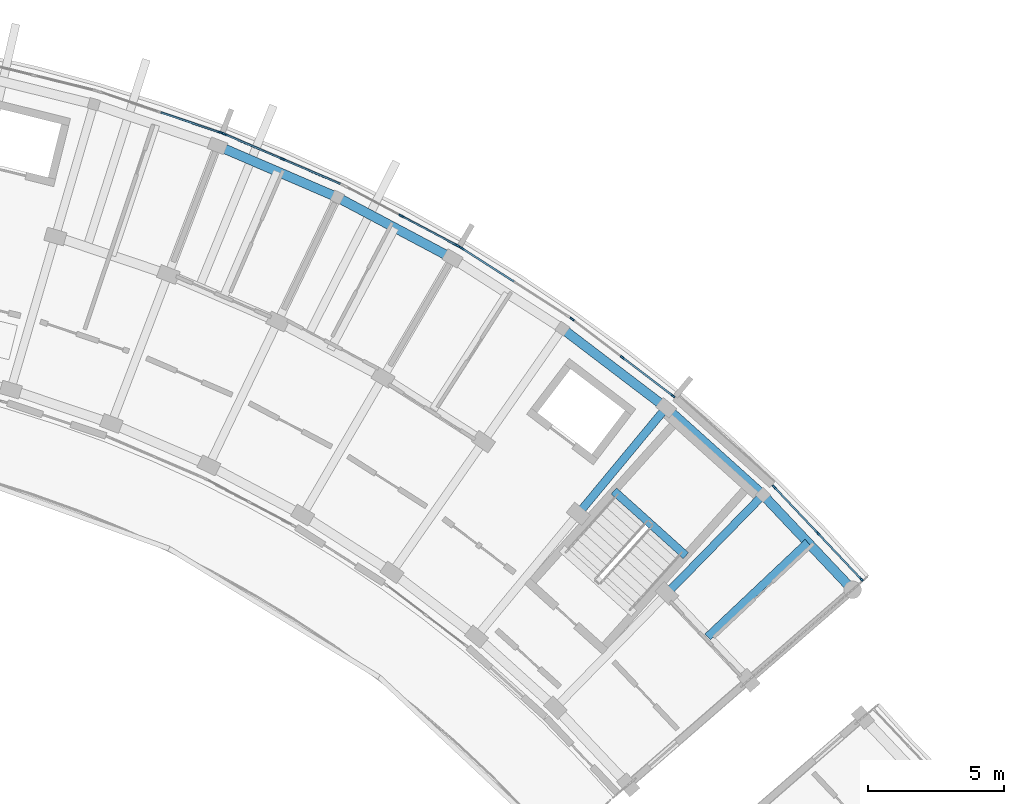
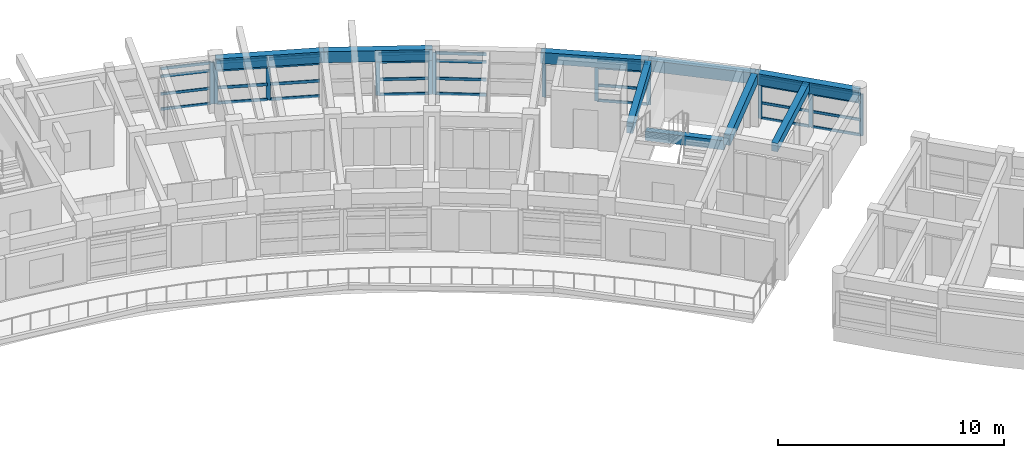
# One storey, part 14 of 38: 44 members, 9 beams, 6 elements without a shape of their own.
"""IFC4 building model written with IfcOpenShell, lengths in metres."""

from ifc_helpers import new_model, si_unit, direction, frame, origin, origin_2d, place, context, subcontext, project, spatial, rectangle, extrude, material, material_profile, profile_set, type_object, element, aggregate, save


model = new_model("IFC4")

# Units and contexts
model_context = context("Model", 3, precision=1e-05, world=origin(), true_north=direction((0.0, 1.0)))
body_context = subcontext(model_context, "Body", "Model", "MODEL_VIEW")
ifc_project = project(units=[si_unit("LENGTHUNIT", "METRE"), si_unit("AREAUNIT", "SQUARE_METRE"), si_unit("VOLUMEUNIT", "CUBIC_METRE"), si_unit("PLANEANGLEUNIT", "RADIAN"), si_unit("MASSUNIT", "GRAM", prefix="KILO")], contexts=[model_context])

# Site, building, storey
site_placement = place(None, origin())
site = spatial("IfcSite", under=ifc_project, at=site_placement, CompositionType="ELEMENT")
building_placement = place(site_placement, origin())
building = spatial("IfcBuilding", under=site, at=building_placement, Name="Zimvara Arc Housing Community", CompositionType="ELEMENT")
storey_placement = place(building_placement, frame((0.0, 0.0, 29.800048828125)))
storey = spatial("IfcBuildingStorey", under=building, at=storey_placement, Name="L09", CompositionType="ELEMENT", Elevation=29.800048828125)

# Beams
ifc_material_1 = material(Name="Concrete C40/50", Category="concrete")
ifc_material_profile_1 = material_profile(ifc_material_1, rectangle(XDim=0.300048828125, YDim=0.449951171875, at=origin_2d()), Name="RC 300x450")
ifc_profile_set_1 = profile_set([ifc_material_profile_1], Name="Concrete C40/50")
beam_type_1 = type_object("IfcBeamType", Name="BM-RC-300x450", PredefinedType="JOIST", material=ifc_profile_set_1)
beam_1_placement = place(storey_placement, frame((84.095703125, 81.3935546875, 2.635009765625), z_axis=(0.727299876429, 0.686319815936, 0.0), x_axis=(-0.686319815936, 0.727299876429, 0.0)))
element("IfcBeam", 1, at=beam_1_placement, inside=storey, type_object=beam_type_1, Name="bm:blkB:L09:joist:b9", PredefinedType="JOIST", context=body_context, shape_type="SweptSolid", body=[
    extrude(rectangle(XDim=0.300048828125, YDim=0.449951171875, at=origin_2d()), origin(), (0.0, 0.0, 1.0), 5.075927734375),
])
ifc_material_2 = material(Name="Concrete C40/50", Category="concrete")
ifc_material_profile_2 = material_profile(ifc_material_2, rectangle(XDim=0.300048828125, YDim=0.5, at=origin_2d()), Name="RC 300x500")
ifc_profile_set_2 = profile_set([ifc_material_profile_2], Name="Concrete C40/50")
beam_type_2 = type_object("IfcBeamType", Name="BM-RC-300x500", PredefinedType="BEAM", material=ifc_profile_set_2)
beam_2_placement = place(storey_placement, frame((83.2900390625, 84.38671875, 1.300048828125), z_axis=(-0.743396155404, 0.668851370732, 0.0), x_axis=(-0.668851370732, -0.743396155404, 0.0)))
element("IfcBeam", 2, at=beam_2_placement, inside=storey, type_object=beam_type_2, Name="bm:stair_trim:ST-B2:L09:mid", PredefinedType="BEAM", context=body_context, shape_type="SweptSolid", body=[
    extrude(rectangle(XDim=0.300048828125, YDim=0.5, at=origin_2d()), origin(), (0.0, 0.0, 1.0), 3.56982421875),
])
ifc_material_3 = material(Name="Concrete C40/50", Category="concrete")
ifc_material_profile_3 = material_profile(ifc_material_3, rectangle(XDim=0.300048828125, YDim=0.550048828125, at=origin_2d()), Name="RC 300x550")
ifc_profile_set_3 = profile_set([ifc_material_profile_3], Name="Concrete C40/50")
beam_type_3 = type_object("IfcBeamType", Name="BM-RC-300x550", PredefinedType="BEAM", material=ifc_profile_set_3)
for number, where, z_axis, x_axis, name in (
    (3, (79.322265625, 85.9296875, 2.5849609375), (0.637983669165, 0.77004989311, 0.0), (-0.77004989311, 0.637983669165, 0.0), "bm:blkB:L09:rad:b8:r23"),
    (4, (82.588134765625, 82.9912109375, 2.5849609375), (0.698670885014, 0.71544321538, 0.0), (-0.71544321538, 0.698670885014, 0.0), "bm:blkB:L09:rad:b9:r23"),
):
    element("IfcBeam", number, at=place(storey_placement, frame(where, z_axis=z_axis, x_axis=x_axis)), inside=storey, type_object=beam_type_3, Name=name, PredefinedType="BEAM", context=body_context, shape_type="SweptSolid", body=[
        extrude(rectangle(XDim=0.300048828125, YDim=0.550048828125, at=origin_2d()), origin(), (0.0, 0.0, 1.0), 5.080078125),
    ])
ifc_material_4 = material(Name="Concrete C40/50", Category="concrete")
ifc_material_profile_4 = material_profile(ifc_material_4, rectangle(XDim=0.35009765625, YDim=0.60009765625, at=origin_2d()), Name="RC 350x600")
ifc_profile_set_4 = profile_set([ifc_material_profile_4], Name="Concrete C40/50")
beam_type_4 = type_object("IfcBeamType", Name="BM-RC-350x600", PredefinedType="BEAM", material=ifc_profile_set_4)
beam_3_placement = place(storey_placement, frame((66.02392578125, 99.49853515625, 2.56005859375), z_axis=(0.918724276228, -0.394899612901, 0.0), x_axis=(0.394899612901, 0.918724276228, 0.0)))
element("IfcBeam", 5, at=beam_3_placement, inside=storey, type_object=beam_type_4, Name="bm:blkB:L09:chord:r3:b4", PredefinedType="BEAM", context=body_context, shape_type="SweptSolid", body=[
    extrude(rectangle(XDim=0.35009765625, YDim=0.60009765625, at=origin_2d()), origin(), (0.0, 0.0, 1.0), 4.80810546875),
])
beam_4_placement = place(storey_placement, frame((70.441162109375, 97.599853515625, 2.56005859375), z_axis=(0.883445542299, -0.468533855546, 0.0), x_axis=(0.468533855546, 0.883445542299, 0.0)))
element("IfcBeam", 6, at=beam_4_placement, inside=storey, type_object=beam_type_4, Name="bm:blkB:L09:chord:r3:b5", PredefinedType="BEAM", context=body_context, shape_type="SweptSolid", body=[
    extrude(rectangle(XDim=0.35009765625, YDim=0.60009765625, at=origin_2d()), origin(), (0.0, 0.0, 1.0), 4.807861328125),
])
beam_5_placement = place(storey_placement, frame((78.738525390625, 92.755126953125, 2.56005859375), z_axis=(0.795480673672, -0.605978958228, 0.0), x_axis=(0.605978958228, 0.795480673672, 0.0)))
element("IfcBeam", 7, at=beam_5_placement, inside=storey, type_object=beam_type_4, Name="bm:blkB:L09:chord:r3:b7", PredefinedType="BEAM", context=body_context, shape_type="SweptSolid", body=[
    extrude(rectangle(XDim=0.35009765625, YDim=0.60009765625, at=origin_2d()), origin(), (0.0, 0.0, 1.0), 4.80810546875),
])
beam_6_placement = place(storey_placement, frame((82.563232421875, 89.841552734375, 2.56005859375), z_axis=(0.743395133402, -0.668852506637, 0.0), x_axis=(0.668852506637, 0.743395133402, 0.0)))
element("IfcBeam", 8, at=beam_6_placement, inside=storey, type_object=beam_type_4, Name="bm:blkB:L09:chord:r3:b8", PredefinedType="BEAM", context=body_context, shape_type="SweptSolid", body=[
    extrude(rectangle(XDim=0.35009765625, YDim=0.60009765625, at=origin_2d()), origin(), (0.0, 0.0, 1.0), 4.807861328125),
])
beam_7_placement = place(storey_placement, frame((86.137451171875, 86.625732421875, 2.56005859375), z_axis=(0.6862954451, -0.727322873307, 0.0), x_axis=(0.727322873307, 0.6862954451, 0.0)))
element("IfcBeam", 9, at=beam_7_placement, inside=storey, type_object=beam_type_4, Name="bm:blkB:L09:chord:r3:b9", PredefinedType="BEAM", context=body_context, shape_type="SweptSolid", body=[
    extrude(rectangle(XDim=0.35009765625, YDim=0.60009765625, at=origin_2d()), origin(), (0.0, 0.0, 1.0), 4.80810546875),
])

# Curtain wall, member
ifc_material_5 = material(Name="Anodised Aluminium AW-6063", Category="aluminium")
curtain_wall_type_1 = type_object("IfcCurtainWallType", Name="CW-SYS-06", PredefinedType="USERDEFINED", material=ifc_material_5)
curtain_wall_1_placement = place(storey_placement, origin())
curtain_wall_1 = element("IfcCurtainWall", 10, at=curtain_wall_1_placement, inside=storey, type_object=curtain_wall_type_1, Name="cw:blkB:L09:out:b3", ObjectType="CURTAIN WALL", PredefinedType="USERDEFINED")
ifc_material_6 = material(Name="Anodised Aluminium AW-6063", Category="aluminium")
ifc_material_profile_5 = material_profile(ifc_material_6, rectangle(XDim=0.06494140625, YDim=0.179931640625, at=origin_2d()), Name="ALU 65x180")
ifc_profile_set_5 = profile_set([ifc_material_profile_5], Name="Anodised Aluminium AW-6063")
member_type_1 = type_object("IfcMemberType", Name="CWM-65x150", PredefinedType="MULLION", material=ifc_profile_set_5)
member_1_placement = place(storey_placement, frame((66.11474609375, 99.9951171875, 0.0), z_axis=(0.0, 0.0, 1.0), x_axis=(0.318628583921, 0.947879647164, 0.0)))
member_1 = element("IfcMember", 11, at=member_1_placement, type_object=member_type_1, Name="CW06 mullion 3", PredefinedType="MULLION", context=body_context, shape_type="SweptSolid", body=[
    extrude(rectangle(XDim=0.06494140625, YDim=0.179931640625, at=origin_2d()), origin(), (0.0, 0.0, 1.0), 2.25),
])

# Curtain wall, members
ifc_material_7 = material(Name="Anodised Aluminium AW-6063", Category="aluminium")
curtain_wall_type_2 = type_object("IfcCurtainWallType", Name="CW-SYS-04", PredefinedType="USERDEFINED", material=ifc_material_7)
curtain_wall_2_placement = place(storey_placement, origin())
curtain_wall_2 = element("IfcCurtainWall", 12, at=curtain_wall_2_placement, inside=storey, type_object=curtain_wall_type_2, Name="cw:blkB:L09:out:b7", ObjectType="CURTAIN WALL", PredefinedType="USERDEFINED")
member_2_placement = place(storey_placement, frame((79.0986328125, 93.10888671875, 0.0), z_axis=(0.0, 0.0, 1.0), x_axis=(0.60598771987, 0.795473999177, 0.0)))
member_2 = element("IfcMember", 13, at=member_2_placement, type_object=member_type_1, Name="CW04 mullion 1", PredefinedType="MULLION", context=body_context, shape_type="SweptSolid", body=[
    extrude(rectangle(XDim=0.06494140625, YDim=0.179931640625, at=origin_2d()), origin(), (0.0, 0.0, 1.0), 2.25),
])
member_3_placement = place(storey_placement, frame((80.95361328125, 91.69580078125, 0.0), z_axis=(0.0, 0.0, 1.0), x_axis=(0.60598771987, 0.795473999177, 0.0)))
member_3 = element("IfcMember", 14, at=member_3_placement, type_object=member_type_1, Name="CW04 mullion 2", PredefinedType="MULLION", context=body_context, shape_type="SweptSolid", body=[
    extrude(rectangle(XDim=0.06494140625, YDim=0.179931640625, at=origin_2d()), origin(), (0.0, 0.0, 1.0), 2.25),
])
member_4_placement = place(storey_placement, frame((82.80859375, 90.28271484375, 0.0), z_axis=(0.0, 0.0, 1.0), x_axis=(0.60598771987, 0.795473999177, 0.0)))
member_4 = element("IfcMember", 15, at=member_4_placement, type_object=member_type_1, Name="CW04 mullion 3", PredefinedType="MULLION", context=body_context, shape_type="SweptSolid", body=[
    extrude(rectangle(XDim=0.06494140625, YDim=0.179931640625, at=origin_2d()), origin(), (0.0, 0.0, 1.0), 2.25),
])

curtain_wall_3_placement = place(storey_placement, origin())
curtain_wall_3 = element("IfcCurtainWall", 16, at=curtain_wall_3_placement, inside=storey, type_object=curtain_wall_type_1, Name="cw:blkB:L09:out:b9", ObjectType="CURTAIN WALL", PredefinedType="USERDEFINED")
member_5_placement = place(storey_placement, frame((86.55029296875, 86.916015625, 0.0), z_axis=(0.0, 0.0, 1.0), x_axis=(0.727293647725, 0.686326416495, 0.0)))
member_5 = element("IfcMember", 17, at=member_5_placement, type_object=member_type_1, Name="CW06 mullion 1", PredefinedType="MULLION", context=body_context, shape_type="SweptSolid", body=[
    extrude(rectangle(XDim=0.06494140625, YDim=0.179931640625, at=origin_2d()), origin(), (0.0, 0.0, 1.0), 2.25),
])
member_6_placement = place(storey_placement, frame((88.150634765625, 85.219970703125, 0.0), z_axis=(0.0, 0.0, 1.0), x_axis=(0.727293647725, 0.686326416495, 0.0)))
member_6 = element("IfcMember", 18, at=member_6_placement, type_object=member_type_1, Name="CW06 mullion 2", PredefinedType="MULLION", context=body_context, shape_type="SweptSolid", body=[
    extrude(rectangle(XDim=0.06494140625, YDim=0.179931640625, at=origin_2d()), origin(), (0.0, 0.0, 1.0), 2.25),
])
member_7_placement = place(storey_placement, frame((89.751220703125, 83.524169921875, 0.0), z_axis=(0.0, 0.0, 1.0), x_axis=(0.727293647725, 0.686326416495, 0.0)))
member_7 = element("IfcMember", 19, at=member_7_placement, type_object=member_type_1, Name="CW06 mullion 3", PredefinedType="MULLION", context=body_context, shape_type="SweptSolid", body=[
    extrude(rectangle(XDim=0.06494140625, YDim=0.179931640625, at=origin_2d()), origin(), (0.0, 0.0, 1.0), 2.25),
])

ifc_material_8 = material(Name="Anodised Aluminium AW-6063", Category="aluminium")
curtain_wall_type_3 = type_object("IfcCurtainWallType", Name="CW-SYS-07", PredefinedType="USERDEFINED", material=ifc_material_8)
curtain_wall_4_placement = place(storey_placement, origin())
curtain_wall_4 = element("IfcCurtainWall", 20, at=curtain_wall_4_placement, inside=storey, type_object=curtain_wall_type_3, Name="cw:blkB:L09:out:b4", ObjectType="CURTAIN WALL", PredefinedType="USERDEFINED")
ifc_material_9 = material(Name="Anodised Aluminium AW-6063", Category="aluminium")
ifc_material_profile_6 = material_profile(ifc_material_9, rectangle(XDim=0.06494140625, YDim=0.195068359375, at=origin_2d()), Name="ALU 65x195")
ifc_profile_set_6 = profile_set([ifc_material_profile_6], Name="Anodised Aluminium AW-6063")
member_type_2 = type_object("IfcMemberType", Name="CWM-65x180", PredefinedType="MULLION", material=ifc_profile_set_6)
member_8_placement = place(storey_placement, frame((66.287353515625, 99.92919921875, 0.0), z_axis=(0.0, 0.0, 1.0), x_axis=(0.394904211998, 0.918722299363, 0.0)))
member_8 = element("IfcMember", 21, at=member_8_placement, type_object=member_type_2, Name="CW07 mullion 1", PredefinedType="MULLION", context=body_context, shape_type="SweptSolid", body=[
    extrude(rectangle(XDim=0.06494140625, YDim=0.195068359375, at=origin_2d()), origin(), (0.0, 0.0, 1.0), 2.25),
])
member_9_placement = place(storey_placement, frame((68.429931640625, 99.00830078125, 0.0), z_axis=(0.0, 0.0, 1.0), x_axis=(0.394904211998, 0.918722299363, 0.0)))
member_9 = element("IfcMember", 22, at=member_9_placement, type_object=member_type_2, Name="CW07 mullion 2", PredefinedType="MULLION", context=body_context, shape_type="SweptSolid", body=[
    extrude(rectangle(XDim=0.06494140625, YDim=0.195068359375, at=origin_2d()), origin(), (0.0, 0.0, 1.0), 2.25),
])

ifc_material_10 = material(Name="Anodised Aluminium AW-6063", Category="aluminium")
curtain_wall_type_4 = type_object("IfcCurtainWallType", Name="CW-SYS-01", PredefinedType="USERDEFINED", material=ifc_material_10)
curtain_wall_5_placement = place(storey_placement, origin())
curtain_wall_5 = element("IfcCurtainWall", 23, at=curtain_wall_5_placement, inside=storey, type_object=curtain_wall_type_4, Name="cw:blkB:L09:out:b5", ObjectType="CURTAIN WALL", PredefinedType="USERDEFINED")
member_10_placement = place(storey_placement, frame((72.799072265625, 96.914794921875, 0.0), z_axis=(0.0, 0.0, 1.0), x_axis=(0.468546917761, 0.883438614651, 0.0)))
member_10 = element("IfcMember", 24, at=member_10_placement, type_object=member_type_2, Name="CW01 mullion 2", PredefinedType="MULLION", context=body_context, shape_type="SweptSolid", body=[
    extrude(rectangle(XDim=0.06494140625, YDim=0.195068359375, at=origin_2d()), origin(), (0.0, 0.0, 1.0), 2.25),
])
member_11_placement = place(storey_placement, frame((74.859130859375, 95.822265625, 0.0), z_axis=(0.0, 0.0, 1.0), x_axis=(0.468546917761, 0.883438614651, 0.0)))
member_11 = element("IfcMember", 25, at=member_11_placement, type_object=member_type_2, Name="CW01 mullion 3", PredefinedType="MULLION", context=body_context, shape_type="SweptSolid", body=[
    extrude(rectangle(XDim=0.06494140625, YDim=0.195068359375, at=origin_2d()), origin(), (0.0, 0.0, 1.0), 2.25),
])

# Curtain wall, member
ifc_material_11 = material(Name="Anodised Aluminium AW-6063", Category="aluminium")
curtain_wall_type_5 = type_object("IfcCurtainWallType", Name="CW-SYS-03", PredefinedType="USERDEFINED", material=ifc_material_11)
curtain_wall_6_placement = place(storey_placement, origin())
curtain_wall_6 = element("IfcCurtainWall", 26, at=curtain_wall_6_placement, inside=storey, type_object=curtain_wall_type_5, Name="cw:blkB:L09:out:b6", ObjectType="CURTAIN WALL", PredefinedType="USERDEFINED")
member_12_placement = place(storey_placement, frame((75.018798828125, 95.72900390625, 0.0), z_axis=(0.0, 0.0, 1.0), x_axis=(0.539064617721, 0.842264410931, 0.0)))
member_12 = element("IfcMember", 27, at=member_12_placement, type_object=member_type_2, Name="CW03 mullion 1", PredefinedType="MULLION", context=body_context, shape_type="SweptSolid", body=[
    extrude(rectangle(XDim=0.06494140625, YDim=0.195068359375, at=origin_2d()), origin(), (0.0, 0.0, 1.0), 2.25),
])

# Member
ifc_material_12 = material(Name="Anodised Aluminium AW-6063", Category="aluminium")
ifc_material_profile_7 = material_profile(ifc_material_12, rectangle(XDim=0.06494140625, YDim=0.139892578125, at=origin_2d()), Name="ALU 65x140")
ifc_profile_set_7 = profile_set([ifc_material_profile_7], Name="Anodised Aluminium AW-6063")
member_type_3 = type_object("IfcMemberType", Name="CWT-65x120", PredefinedType="USERDEFINED", material=ifc_profile_set_7)
member_13_placement = place(storey_placement, frame((63.935302734375, 100.727783203125, 0.032470703125), z_axis=(0.947861605379, -0.318682250916, 0.0), x_axis=(0.318682250916, 0.947861605379, 0.0)))
member_13 = element("IfcMember", 28, at=member_13_placement, type_object=member_type_3, Name="CW06 transom 2.1", ObjectType="TRANSOM", PredefinedType="USERDEFINED", context=body_context, shape_type="SweptSolid", body=[
    extrude(rectangle(XDim=0.06494140625, YDim=0.139892578125, at=origin_2d()), origin(), (0.0, 0.0, 1.0), 2.266845703125),
])

member_14_placement = place(storey_placement, frame((63.935302734375, 100.727783203125, 0.849853515625), z_axis=(0.947861605379, -0.318682250916, 0.0), x_axis=(0.318682250916, 0.947861605379, 0.0)))
member_14 = element("IfcMember", 29, at=member_14_placement, type_object=member_type_3, Name="CW06 transom 2.2", ObjectType="TRANSOM", PredefinedType="USERDEFINED", context=body_context, shape_type="SweptSolid", body=[
    extrude(rectangle(XDim=0.06494140625, YDim=0.139892578125, at=origin_2d()), origin(), (0.0, 0.0, 1.0), 2.266845703125),
])

member_15_placement = place(storey_placement, frame((63.935302734375, 100.727783203125, 1.800048828125), z_axis=(0.947861605379, -0.318682250916, 0.0), x_axis=(0.318682250916, 0.947861605379, 0.0)))
member_15 = element("IfcMember", 30, at=member_15_placement, type_object=member_type_3, Name="CW06 transom 2.3", ObjectType="TRANSOM", PredefinedType="USERDEFINED", context=body_context, shape_type="SweptSolid", body=[
    extrude(rectangle(XDim=0.06494140625, YDim=0.139892578125, at=origin_2d()), origin(), (0.0, 0.0, 1.0), 2.266845703125),
])

member_16_placement = place(storey_placement, frame((63.935302734375, 100.727783203125, 2.217529296875), z_axis=(0.947861605379, -0.318682250916, 0.0), x_axis=(0.318682250916, 0.947861605379, 0.0)))
member_16 = element("IfcMember", 31, at=member_16_placement, type_object=member_type_3, Name="CW06 transom 2.4", ObjectType="TRANSOM", PredefinedType="USERDEFINED", context=body_context, shape_type="SweptSolid", body=[
    extrude(rectangle(XDim=0.06494140625, YDim=0.139892578125, at=origin_2d()), origin(), (0.0, 0.0, 1.0), 2.266845703125),
])

aggregate(curtain_wall_1, [member_1, member_13, member_14, member_15, member_16])

member_17_placement = place(storey_placement, frame((80.9794921875, 91.676025390625, 0.032470703125), z_axis=(0.795505886513, -0.605945859399, 0.0), x_axis=(0.605945859399, 0.795505886513, 0.0)))
member_17 = element("IfcMember", 32, at=member_17_placement, type_object=member_type_3, Name="CW04 transom 2.1", ObjectType="TRANSOM", PredefinedType="USERDEFINED", context=body_context, shape_type="SweptSolid", body=[
    extrude(rectangle(XDim=0.06494140625, YDim=0.139892578125, at=origin_2d()), origin(), (0.0, 0.0, 1.0), 2.266845703125),
])

member_18_placement = place(storey_placement, frame((80.9794921875, 91.676025390625, 0.849853515625), z_axis=(0.795505886513, -0.605945859399, 0.0), x_axis=(0.605945859399, 0.795505886513, 0.0)))
member_18 = element("IfcMember", 33, at=member_18_placement, type_object=member_type_3, Name="CW04 transom 2.2", ObjectType="TRANSOM", PredefinedType="USERDEFINED", context=body_context, shape_type="SweptSolid", body=[
    extrude(rectangle(XDim=0.06494140625, YDim=0.139892578125, at=origin_2d()), origin(), (0.0, 0.0, 1.0), 2.266845703125),
])

member_19_placement = place(storey_placement, frame((80.9794921875, 91.676025390625, 1.800048828125), z_axis=(0.795505886513, -0.605945859399, 0.0), x_axis=(0.605945859399, 0.795505886513, 0.0)))
member_19 = element("IfcMember", 34, at=member_19_placement, type_object=member_type_3, Name="CW04 transom 2.3", ObjectType="TRANSOM", PredefinedType="USERDEFINED", context=body_context, shape_type="SweptSolid", body=[
    extrude(rectangle(XDim=0.06494140625, YDim=0.139892578125, at=origin_2d()), origin(), (0.0, 0.0, 1.0), 2.266845703125),
])

member_20_placement = place(storey_placement, frame((80.9794921875, 91.676025390625, 2.217529296875), z_axis=(0.795505886513, -0.605945859399, 0.0), x_axis=(0.605945859399, 0.795505886513, 0.0)))
member_20 = element("IfcMember", 35, at=member_20_placement, type_object=member_type_3, Name="CW04 transom 2.4", ObjectType="TRANSOM", PredefinedType="USERDEFINED", context=body_context, shape_type="SweptSolid", body=[
    extrude(rectangle(XDim=0.06494140625, YDim=0.139892578125, at=origin_2d()), origin(), (0.0, 0.0, 1.0), 2.266845703125),
])

aggregate(curtain_wall_2, [member_2, member_3, member_4, member_17, member_18, member_19, member_20])

member_21_placement = place(storey_placement, frame((86.572509765625, 86.892333984375, 0.032470703125), z_axis=(0.686348357589, -0.727272941911, 0.0), x_axis=(0.727272941911, 0.686348357589, 0.0)))
member_21 = element("IfcMember", 36, at=member_21_placement, type_object=member_type_3, Name="CW06 transom 1.1", ObjectType="TRANSOM", PredefinedType="USERDEFINED", context=body_context, shape_type="SweptSolid", body=[
    extrude(rectangle(XDim=0.06494140625, YDim=0.139892578125, at=origin_2d()), origin(), (0.0, 0.0, 1.0), 2.266845703125),
])

member_22_placement = place(storey_placement, frame((86.572509765625, 86.892333984375, 0.849853515625), z_axis=(0.686348357589, -0.727272941911, 0.0), x_axis=(0.727272941911, 0.686348357589, 0.0)))
member_22 = element("IfcMember", 37, at=member_22_placement, type_object=member_type_3, Name="CW06 transom 1.2", ObjectType="TRANSOM", PredefinedType="USERDEFINED", context=body_context, shape_type="SweptSolid", body=[
    extrude(rectangle(XDim=0.06494140625, YDim=0.139892578125, at=origin_2d()), origin(), (0.0, 0.0, 1.0), 2.266845703125),
])

member_23_placement = place(storey_placement, frame((86.572509765625, 86.892333984375, 1.800048828125), z_axis=(0.686348357589, -0.727272941911, 0.0), x_axis=(0.727272941911, 0.686348357589, 0.0)))
member_23 = element("IfcMember", 38, at=member_23_placement, type_object=member_type_3, Name="CW06 transom 1.3", ObjectType="TRANSOM", PredefinedType="USERDEFINED", context=body_context, shape_type="SweptSolid", body=[
    extrude(rectangle(XDim=0.06494140625, YDim=0.139892578125, at=origin_2d()), origin(), (0.0, 0.0, 1.0), 2.266845703125),
])

member_24_placement = place(storey_placement, frame((86.572509765625, 86.892333984375, 2.217529296875), z_axis=(0.686348357589, -0.727272941911, 0.0), x_axis=(0.727272941911, 0.686348357589, 0.0)))
member_24 = element("IfcMember", 39, at=member_24_placement, type_object=member_type_3, Name="CW06 transom 1.4", ObjectType="TRANSOM", PredefinedType="USERDEFINED", context=body_context, shape_type="SweptSolid", body=[
    extrude(rectangle(XDim=0.06494140625, YDim=0.139892578125, at=origin_2d()), origin(), (0.0, 0.0, 1.0), 2.266845703125),
])

member_25_placement = place(storey_placement, frame((88.173095703125, 85.196533203125, 0.032470703125), z_axis=(0.68623762882, -0.727377423894, 0.0), x_axis=(0.727377423894, 0.68623762882, 0.0)))
member_25 = element("IfcMember", 40, at=member_25_placement, type_object=member_type_3, Name="CW06 transom 2.1", ObjectType="TRANSOM", PredefinedType="USERDEFINED", context=body_context, shape_type="SweptSolid", body=[
    extrude(rectangle(XDim=0.06494140625, YDim=0.139892578125, at=origin_2d()), origin(), (0.0, 0.0, 1.0), 2.266845703125),
])

member_26_placement = place(storey_placement, frame((88.173095703125, 85.196533203125, 0.849853515625), z_axis=(0.68623762882, -0.727377423894, 0.0), x_axis=(0.727377423894, 0.68623762882, 0.0)))
member_26 = element("IfcMember", 41, at=member_26_placement, type_object=member_type_3, Name="CW06 transom 2.2", ObjectType="TRANSOM", PredefinedType="USERDEFINED", context=body_context, shape_type="SweptSolid", body=[
    extrude(rectangle(XDim=0.06494140625, YDim=0.139892578125, at=origin_2d()), origin(), (0.0, 0.0, 1.0), 2.266845703125),
])

member_27_placement = place(storey_placement, frame((88.173095703125, 85.196533203125, 1.800048828125), z_axis=(0.68623762882, -0.727377423894, 0.0), x_axis=(0.727377423894, 0.68623762882, 0.0)))
member_27 = element("IfcMember", 42, at=member_27_placement, type_object=member_type_3, Name="CW06 transom 2.3", ObjectType="TRANSOM", PredefinedType="USERDEFINED", context=body_context, shape_type="SweptSolid", body=[
    extrude(rectangle(XDim=0.06494140625, YDim=0.139892578125, at=origin_2d()), origin(), (0.0, 0.0, 1.0), 2.266845703125),
])

member_28_placement = place(storey_placement, frame((88.173095703125, 85.196533203125, 2.217529296875), z_axis=(0.68623762882, -0.727377423894, 0.0), x_axis=(0.727377423894, 0.68623762882, 0.0)))
member_28 = element("IfcMember", 43, at=member_28_placement, type_object=member_type_3, Name="CW06 transom 2.4", ObjectType="TRANSOM", PredefinedType="USERDEFINED", context=body_context, shape_type="SweptSolid", body=[
    extrude(rectangle(XDim=0.06494140625, YDim=0.139892578125, at=origin_2d()), origin(), (0.0, 0.0, 1.0), 2.266845703125),
])

aggregate(curtain_wall_3, [member_5, member_6, member_7, member_21, member_22, member_23, member_24, member_25, member_26, member_27, member_28])

ifc_material_13 = material(Name="Anodised Aluminium AW-6063", Category="aluminium")
ifc_material_profile_8 = material_profile(ifc_material_13, rectangle(XDim=0.06494140625, YDim=0.155029296875, at=origin_2d()), Name="ALU 65x155")
ifc_profile_set_8 = profile_set([ifc_material_profile_8], Name="Anodised Aluminium AW-6063")
member_type_4 = type_object("IfcMemberType", Name="CWT-65x140", PredefinedType="USERDEFINED", material=ifc_profile_set_8)
member_29_placement = place(storey_placement, frame((66.3173828125, 99.916259765625, 0.032470703125), z_axis=(0.918704360712, -0.394945942641, 0.0), x_axis=(0.394945942641, 0.918704360712, 0.0)))
member_29 = element("IfcMember", 44, at=member_29_placement, type_object=member_type_4, Name="CW07 transom 1.1", ObjectType="TRANSOM", PredefinedType="USERDEFINED", context=body_context, shape_type="SweptSolid", body=[
    extrude(rectangle(XDim=0.06494140625, YDim=0.155029296875, at=origin_2d()), origin(), (0.0, 0.0, 1.0), 2.266845703125),
])

member_30_placement = place(storey_placement, frame((66.3173828125, 99.916259765625, 0.849853515625), z_axis=(0.918704360712, -0.394945942641, 0.0), x_axis=(0.394945942641, 0.918704360712, 0.0)))
member_30 = element("IfcMember", 45, at=member_30_placement, type_object=member_type_4, Name="CW07 transom 1.2", ObjectType="TRANSOM", PredefinedType="USERDEFINED", context=body_context, shape_type="SweptSolid", body=[
    extrude(rectangle(XDim=0.06494140625, YDim=0.155029296875, at=origin_2d()), origin(), (0.0, 0.0, 1.0), 2.266845703125),
])

member_31_placement = place(storey_placement, frame((66.3173828125, 99.916259765625, 1.800048828125), z_axis=(0.918704360712, -0.394945942641, 0.0), x_axis=(0.394945942641, 0.918704360712, 0.0)))
member_31 = element("IfcMember", 46, at=member_31_placement, type_object=member_type_4, Name="CW07 transom 1.3", ObjectType="TRANSOM", PredefinedType="USERDEFINED", context=body_context, shape_type="SweptSolid", body=[
    extrude(rectangle(XDim=0.06494140625, YDim=0.155029296875, at=origin_2d()), origin(), (0.0, 0.0, 1.0), 2.266845703125),
])

member_32_placement = place(storey_placement, frame((66.3173828125, 99.916259765625, 2.217529296875), z_axis=(0.918704360712, -0.394945942641, 0.0), x_axis=(0.394945942641, 0.918704360712, 0.0)))
member_32 = element("IfcMember", 47, at=member_32_placement, type_object=member_type_4, Name="CW07 transom 1.4", ObjectType="TRANSOM", PredefinedType="USERDEFINED", context=body_context, shape_type="SweptSolid", body=[
    extrude(rectangle(XDim=0.06494140625, YDim=0.155029296875, at=origin_2d()), origin(), (0.0, 0.0, 1.0), 2.266845703125),
])

member_33_placement = place(storey_placement, frame((68.459716796875, 98.995361328125, 0.032470703125), z_axis=(0.918721157939, -0.394906867444, 0.0), x_axis=(0.394906867444, 0.918721157939, 0.0)))
member_33 = element("IfcMember", 48, at=member_33_placement, type_object=member_type_4, Name="CW07 transom 2.1", ObjectType="TRANSOM", PredefinedType="USERDEFINED", context=body_context, shape_type="SweptSolid", body=[
    extrude(rectangle(XDim=0.06494140625, YDim=0.155029296875, at=origin_2d()), origin(), (0.0, 0.0, 1.0), 2.26708984375),
])

member_34_placement = place(storey_placement, frame((68.459716796875, 98.995361328125, 0.849853515625), z_axis=(0.918721157939, -0.394906867444, 0.0), x_axis=(0.394906867444, 0.918721157939, 0.0)))
member_34 = element("IfcMember", 49, at=member_34_placement, type_object=member_type_4, Name="CW07 transom 2.2", ObjectType="TRANSOM", PredefinedType="USERDEFINED", context=body_context, shape_type="SweptSolid", body=[
    extrude(rectangle(XDim=0.06494140625, YDim=0.155029296875, at=origin_2d()), origin(), (0.0, 0.0, 1.0), 2.26708984375),
])

member_35_placement = place(storey_placement, frame((68.459716796875, 98.995361328125, 1.800048828125), z_axis=(0.918721157939, -0.394906867444, 0.0), x_axis=(0.394906867444, 0.918721157939, 0.0)))
member_35 = element("IfcMember", 50, at=member_35_placement, type_object=member_type_4, Name="CW07 transom 2.3", ObjectType="TRANSOM", PredefinedType="USERDEFINED", context=body_context, shape_type="SweptSolid", body=[
    extrude(rectangle(XDim=0.06494140625, YDim=0.155029296875, at=origin_2d()), origin(), (0.0, 0.0, 1.0), 2.26708984375),
])

member_36_placement = place(storey_placement, frame((68.459716796875, 98.995361328125, 2.217529296875), z_axis=(0.918721157939, -0.394906867444, 0.0), x_axis=(0.394906867444, 0.918721157939, 0.0)))
member_36 = element("IfcMember", 51, at=member_36_placement, type_object=member_type_4, Name="CW07 transom 2.4", ObjectType="TRANSOM", PredefinedType="USERDEFINED", context=body_context, shape_type="SweptSolid", body=[
    extrude(rectangle(XDim=0.06494140625, YDim=0.155029296875, at=origin_2d()), origin(), (0.0, 0.0, 1.0), 2.26708984375),
])

aggregate(curtain_wall_4, [member_8, member_9, member_29, member_30, member_31, member_32, member_33, member_34, member_35, member_36])

member_37_placement = place(storey_placement, frame((72.827880859375, 96.899658203125, 0.032470703125), z_axis=(0.883420900208, -0.468580316568, 0.0), x_axis=(0.468580316568, 0.883420900208, 0.0)))
member_37 = element("IfcMember", 52, at=member_37_placement, type_object=member_type_4, Name="CW01 transom 2.1", ObjectType="TRANSOM", PredefinedType="USERDEFINED", context=body_context, shape_type="SweptSolid", body=[
    extrude(rectangle(XDim=0.06494140625, YDim=0.155029296875, at=origin_2d()), origin(), (0.0, 0.0, 1.0), 2.266845703125),
])

member_38_placement = place(storey_placement, frame((72.827880859375, 96.899658203125, 0.849853515625), z_axis=(0.883420900208, -0.468580316568, 0.0), x_axis=(0.468580316568, 0.883420900208, 0.0)))
member_38 = element("IfcMember", 53, at=member_38_placement, type_object=member_type_4, Name="CW01 transom 2.2", ObjectType="TRANSOM", PredefinedType="USERDEFINED", context=body_context, shape_type="SweptSolid", body=[
    extrude(rectangle(XDim=0.06494140625, YDim=0.155029296875, at=origin_2d()), origin(), (0.0, 0.0, 1.0), 2.266845703125),
])

member_39_placement = place(storey_placement, frame((72.827880859375, 96.899658203125, 1.800048828125), z_axis=(0.883420900208, -0.468580316568, 0.0), x_axis=(0.468580316568, 0.883420900208, 0.0)))
member_39 = element("IfcMember", 54, at=member_39_placement, type_object=member_type_4, Name="CW01 transom 2.3", ObjectType="TRANSOM", PredefinedType="USERDEFINED", context=body_context, shape_type="SweptSolid", body=[
    extrude(rectangle(XDim=0.06494140625, YDim=0.155029296875, at=origin_2d()), origin(), (0.0, 0.0, 1.0), 2.266845703125),
])

member_40_placement = place(storey_placement, frame((72.827880859375, 96.899658203125, 2.217529296875), z_axis=(0.883420900208, -0.468580316568, 0.0), x_axis=(0.468580316568, 0.883420900208, 0.0)))
member_40 = element("IfcMember", 55, at=member_40_placement, type_object=member_type_4, Name="CW01 transom 2.4", ObjectType="TRANSOM", PredefinedType="USERDEFINED", context=body_context, shape_type="SweptSolid", body=[
    extrude(rectangle(XDim=0.06494140625, YDim=0.155029296875, at=origin_2d()), origin(), (0.0, 0.0, 1.0), 2.266845703125),
])

aggregate(curtain_wall_5, [member_10, member_11, member_37, member_38, member_39, member_40])

member_41_placement = place(storey_placement, frame((75.046142578125, 95.71142578125, 0.032470703125), z_axis=(0.842292914806, -0.539020079095, 0.0), x_axis=(0.539020079095, 0.842292914806, 0.0)))
member_41 = element("IfcMember", 56, at=member_41_placement, type_object=member_type_4, Name="CW03 transom 1.1", ObjectType="TRANSOM", PredefinedType="USERDEFINED", context=body_context, shape_type="SweptSolid", body=[
    extrude(rectangle(XDim=0.06494140625, YDim=0.155029296875, at=origin_2d()), origin(), (0.0, 0.0, 1.0), 2.266845703125),
])

member_42_placement = place(storey_placement, frame((75.046142578125, 95.71142578125, 0.849853515625), z_axis=(0.842292914806, -0.539020079095, 0.0), x_axis=(0.539020079095, 0.842292914806, 0.0)))
member_42 = element("IfcMember", 57, at=member_42_placement, type_object=member_type_4, Name="CW03 transom 1.2", ObjectType="TRANSOM", PredefinedType="USERDEFINED", context=body_context, shape_type="SweptSolid", body=[
    extrude(rectangle(XDim=0.06494140625, YDim=0.155029296875, at=origin_2d()), origin(), (0.0, 0.0, 1.0), 2.266845703125),
])

member_43_placement = place(storey_placement, frame((75.046142578125, 95.71142578125, 1.800048828125), z_axis=(0.842292914806, -0.539020079095, 0.0), x_axis=(0.539020079095, 0.842292914806, 0.0)))
member_43 = element("IfcMember", 58, at=member_43_placement, type_object=member_type_4, Name="CW03 transom 1.3", ObjectType="TRANSOM", PredefinedType="USERDEFINED", context=body_context, shape_type="SweptSolid", body=[
    extrude(rectangle(XDim=0.06494140625, YDim=0.155029296875, at=origin_2d()), origin(), (0.0, 0.0, 1.0), 2.266845703125),
])

member_44_placement = place(storey_placement, frame((75.046142578125, 95.71142578125, 2.217529296875), z_axis=(0.842292914806, -0.539020079095, 0.0), x_axis=(0.539020079095, 0.842292914806, 0.0)))
member_44 = element("IfcMember", 59, at=member_44_placement, type_object=member_type_4, Name="CW03 transom 1.4", ObjectType="TRANSOM", PredefinedType="USERDEFINED", context=body_context, shape_type="SweptSolid", body=[
    extrude(rectangle(XDim=0.06494140625, YDim=0.155029296875, at=origin_2d()), origin(), (0.0, 0.0, 1.0), 2.266845703125),
])

aggregate(curtain_wall_6, [member_12, member_41, member_42, member_43, member_44])

save(model, "model.ifc")
